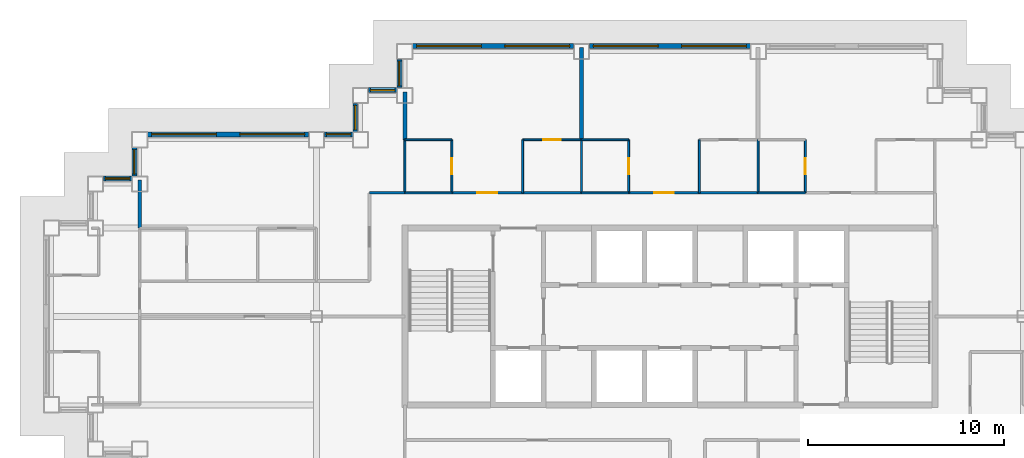
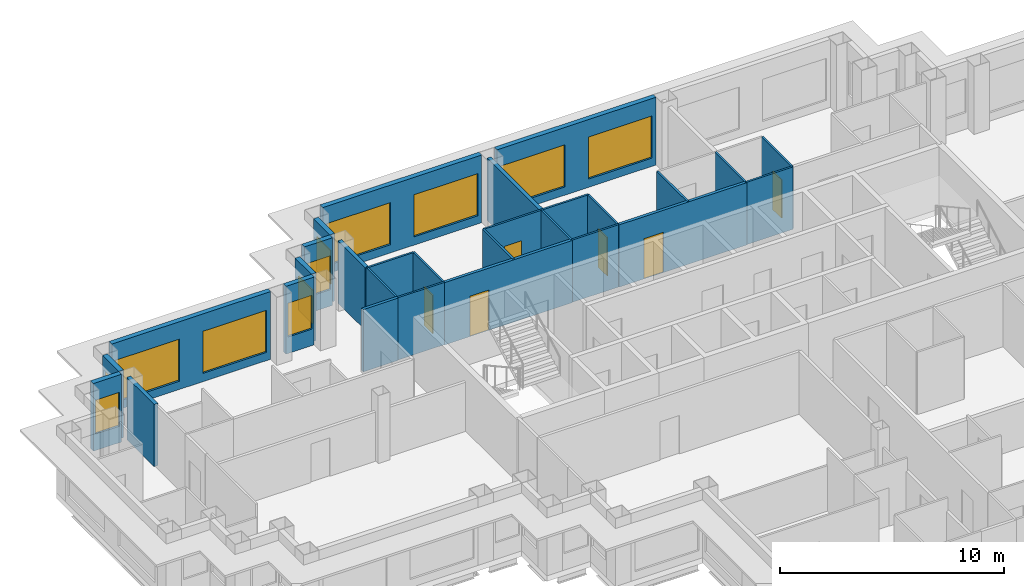
# One storey, part 8 of 13: 29 walls, 12 windows, 6 doors, 18 openings.
"""IFC4 building model written with IfcOpenShell, lengths in metres."""

from ifc_helpers import new_model, si_unit, direction, frame, frame_2d, origin, place, context, subcontext, project, spatial, rectangle, extrude, material, layer, layer_set, type_object, element, fill, save


model = new_model("IFC4")

# Units and contexts
model_context = context("Model", 3, precision=1e-05, world=origin(), true_north=direction((0.0, 1.0)))
body_context = subcontext(model_context, "Body", "Model", "MODEL_VIEW")
ifc_project = project(units=[si_unit("LENGTHUNIT", "METRE"), si_unit("AREAUNIT", "SQUARE_METRE"), si_unit("VOLUMEUNIT", "CUBIC_METRE"), si_unit("PLANEANGLEUNIT", "RADIAN"), si_unit("MASSUNIT", "GRAM", prefix="KILO")], contexts=[model_context])

# Site, building, storey
site_placement = place(None, origin())
site = spatial("IfcSite", under=ifc_project, at=site_placement, CompositionType="ELEMENT")
building_placement = place(site_placement, origin())
building = spatial("IfcBuilding", under=site, at=building_placement, Name="Caravel Reach Hotel and Residences", CompositionType="ELEMENT")
storey_placement = place(building_placement, frame((0.0, 0.0, 158.0)))
storey = spatial("IfcBuildingStorey", under=building, at=storey_placement, Name="L39", CompositionType="ELEMENT", Elevation=158.0)

# Walls
ifc_material_1 = material(Name="Gypsum board on steel stud", Category="steel")
ifc_layer_1 = layer(ifc_material_1, 0.10009765625)
ifc_layer_set_1 = layer_set([ifc_layer_1], Name="Bathroom pod wall 100 mm")
wall_type_1 = type_object("IfcWallType", Name="Bathroom pod wall 100 mm", PredefinedType="PARTITIONING", material=ifc_layer_set_1)
for number, where, z_axis, x_axis, name in (
    (1, (18.0, 33.300048828125, 0.0), (0.0, 0.0, 1.0), (1.0, 0.0, 0.0), "L39 wall w089"),
    (2, (27.0, 33.300048828125, 0.0), (0.0, 0.0, 1.0), (1.0, 0.0, 0.0), "L39 wall w090"),
    (3, (36.0, 33.300048828125, 0.0), (0.0, 0.0, 1.0), (1.0, 0.0, 0.0), "L39 wall w091"),
    (4, (18.0, 36.0, 0.0), (0.0, 0.0, 1.0), (1.0, 0.0, 0.0), "L39 wall w092"),
    (5, (27.0, 36.0, 0.0), (0.0, 0.0, 1.0), (1.0, 0.0, 0.0), "L39 wall w093"),
):
    element("IfcWall", number, at=place(storey_placement, frame(where, z_axis=z_axis, x_axis=x_axis)), inside=storey, type_object=wall_type_1, Name=name, PredefinedType="PARTITIONING", context=body_context, shape_type="SweptSolid", body=[
        extrude(rectangle(XDim=2.39990234375, YDim=0.10009765625, at=frame_2d((1.199951171875, 0.0))), origin(), (0.0, 0.0, 1.0), 3.39990234375),
    ])
wall_1_placement = place(storey_placement, frame((18.0, 33.301025390625, 0.0), z_axis=(0.0, 0.0, 1.0), x_axis=(0.0, 1.0, 0.0)))
element("IfcWall", 6, at=wall_1_placement, inside=storey, type_object=wall_type_1, Name="L39 wall w097", PredefinedType="PARTITIONING", context=body_context, shape_type="SweptSolid", body=[
    extrude(rectangle(XDim=2.698974609375, YDim=0.10009765625, at=frame_2d((1.349609375, 0.0))), origin(), (0.0, 0.0, 1.0), 3.39990234375),
])

# Wall, opening, door
wall_2_placement = place(storey_placement, frame((20.39990234375, 33.300048828125, 0.0), z_axis=(0.0, 0.0, 1.0), x_axis=(0.0, 1.0, 0.0)))
wall_2 = element("IfcWall", 7, at=wall_2_placement, inside=storey, type_object=wall_type_1, Name="L39 wall w099", PredefinedType="PARTITIONING", context=body_context, shape_type="SweptSolid", body=[
    extrude(rectangle(XDim=2.699951171875, YDim=0.10009765625, at=frame_2d((1.35009765625, 0.0))), origin(), (0.0, 0.0, 1.0), 3.39990234375),
])
opening_1_placement = place(wall_2_placement, frame((0.949951171875, 0.0, 0.0)))
opening_1 = element("IfcOpeningElement", 8, at=opening_1_placement, cuts=wall_2, Name="Opening D39-018", PredefinedType="OPENING", context=body_context, shape_type="SweptSolid", body=[
    extrude(rectangle(XDim=0.800048828125, YDim=2.10009765625, at=frame_2d((0.39990234375, 1.050048828125))), frame((0.0, 0.06005859375, 0.0), z_axis=(0.0, -1.0, 0.0), x_axis=(1.0, 0.0, 0.0)), (0.0, 0.0, 1.0), 0.1201171875),
])
ifc_material_2 = material(Name="Timber and steel door leaf", Category="steel")
door_type_1 = type_object("IfcDoorType", Name="Bathroom door 800 x 2100", OperationType="SINGLE_SWING_LEFT", PredefinedType="DOOR", material=ifc_material_2)
door_1_placement = place(opening_1_placement, origin())
door_1 = element("IfcDoor", 9, at=door_1_placement, inside=storey, type_object=door_type_1, Name="door D39-018", OperationType="SINGLE_SWING_LEFT", OverallHeight=2.10009765625, OverallWidth=0.800048828125, PredefinedType="DOOR", context=body_context, shape_type="SweptSolid", body=[
    extrude(rectangle(XDim=0.800048828125, YDim=2.10009765625, at=frame_2d((0.39990234375, 1.050048828125))), frame((0.0, 0.02490234375, 0.0), z_axis=(0.0, -1.0, 0.0), x_axis=(1.0, 0.0, 0.0)), (0.0, 0.0, 1.0), 0.050048828125),
])
fill(opening_1, door_1)

# Wall
wall_3_placement = place(storey_placement, frame((27.0, 33.300048828125, 0.0), z_axis=(0.0, 0.0, 1.0), x_axis=(0.0, 1.0, 0.0)))
element("IfcWall", 10, at=wall_3_placement, inside=storey, type_object=wall_type_1, Name="L39 wall w100", PredefinedType="PARTITIONING", context=body_context, shape_type="SweptSolid", body=[
    extrude(rectangle(XDim=2.699951171875, YDim=0.10009765625, at=frame_2d((1.35009765625, 0.0))), origin(), (0.0, 0.0, 1.0), 3.39990234375),
])

# Wall, opening, door
wall_4_placement = place(storey_placement, frame((29.39990234375, 33.300048828125, 0.0), z_axis=(0.0, 0.0, 1.0), x_axis=(0.0, 1.0, 0.0)))
wall_4 = element("IfcWall", 11, at=wall_4_placement, inside=storey, type_object=wall_type_1, Name="L39 wall w102", PredefinedType="PARTITIONING", context=body_context, shape_type="SweptSolid", body=[
    extrude(rectangle(XDim=2.699951171875, YDim=0.10009765625, at=frame_2d((1.35009765625, 0.0))), origin(), (0.0, 0.0, 1.0), 3.39990234375),
])
opening_2_placement = place(wall_4_placement, frame((0.949951171875, 0.0, 0.0)))
opening_2 = element("IfcOpeningElement", 12, at=opening_2_placement, cuts=wall_4, Name="Opening D39-021", PredefinedType="OPENING", context=body_context, shape_type="SweptSolid", body=[
    extrude(rectangle(XDim=0.800048828125, YDim=2.10009765625, at=frame_2d((0.39990234375, 1.050048828125))), frame((0.0, 0.06005859375, 0.0), z_axis=(0.0, -1.0, 0.0), x_axis=(1.0, 0.0, 0.0)), (0.0, 0.0, 1.0), 0.1201171875),
])
door_2_placement = place(opening_2_placement, origin())
door_2 = element("IfcDoor", 13, at=door_2_placement, inside=storey, type_object=door_type_1, Name="door D39-021", OperationType="SINGLE_SWING_RIGHT", OverallHeight=2.10009765625, OverallWidth=0.800048828125, PredefinedType="DOOR", context=body_context, shape_type="SweptSolid", body=[
    extrude(rectangle(XDim=0.800048828125, YDim=2.10009765625, at=frame_2d((0.39990234375, 1.050048828125))), frame((0.0, 0.02490234375, 0.0), z_axis=(0.0, -1.0, 0.0), x_axis=(1.0, 0.0, 0.0)), (0.0, 0.0, 1.0), 0.050048828125),
])
fill(opening_2, door_2)

# Wall
wall_5_placement = place(storey_placement, frame((36.0, 33.300048828125, 0.0), z_axis=(0.0, 0.0, 1.0), x_axis=(0.0, 1.0, 0.0)))
element("IfcWall", 14, at=wall_5_placement, inside=storey, type_object=wall_type_1, Name="L39 wall w105", PredefinedType="PARTITIONING", context=body_context, shape_type="SweptSolid", body=[
    extrude(rectangle(XDim=2.699951171875, YDim=0.10009765625, at=frame_2d((1.35009765625, 0.0))), origin(), (0.0, 0.0, 1.0), 3.39990234375),
])

# Wall, opening, door
wall_6_placement = place(storey_placement, frame((38.39990234375, 33.300048828125, 0.0), z_axis=(0.0, 0.0, 1.0), x_axis=(0.0, 1.0, 0.0)))
wall_6 = element("IfcWall", 15, at=wall_6_placement, inside=storey, type_object=wall_type_1, Name="L39 wall w108", PredefinedType="PARTITIONING", context=body_context, shape_type="SweptSolid", body=[
    extrude(rectangle(XDim=2.699951171875, YDim=0.10009765625, at=frame_2d((1.35009765625, 0.0))), origin(), (0.0, 0.0, 1.0), 3.39990234375),
])
opening_3_placement = place(wall_6_placement, frame((0.949951171875, 0.0, 0.0)))
opening_3 = element("IfcOpeningElement", 16, at=opening_3_placement, cuts=wall_6, Name="Opening D39-024", PredefinedType="OPENING", context=body_context, shape_type="SweptSolid", body=[
    extrude(rectangle(XDim=0.800048828125, YDim=2.10009765625, at=frame_2d((0.39990234375, 1.050048828125))), frame((0.0, 0.06005859375, 0.0), z_axis=(0.0, -1.0, 0.0), x_axis=(1.0, 0.0, 0.0)), (0.0, 0.0, 1.0), 0.1201171875),
])
door_3_placement = place(opening_3_placement, origin())
door_3 = element("IfcDoor", 17, at=door_3_placement, inside=storey, type_object=door_type_1, Name="door D39-024", OperationType="SINGLE_SWING_RIGHT", OverallHeight=2.10009765625, OverallWidth=0.800048828125, PredefinedType="DOOR", context=body_context, shape_type="SweptSolid", body=[
    extrude(rectangle(XDim=0.800048828125, YDim=2.10009765625, at=frame_2d((0.39990234375, 1.050048828125))), frame((0.0, 0.02490234375, 0.0), z_axis=(0.0, -1.0, 0.0), x_axis=(1.0, 0.0, 0.0)), (0.0, 0.0, 1.0), 0.050048828125),
])
fill(opening_3, door_3)

ifc_material_3 = material(Name="Gypsum board on steel stud, fire-rated", Category="steel")
ifc_layer_2 = layer(ifc_material_3, 0.14990234375)
ifc_layer_set_2 = layer_set([ifc_layer_2], Name="Corridor wall 150 mm EI 60")
wall_type_2 = type_object("IfcWallType", Name="Corridor wall 150 mm EI 60", PredefinedType="PARTITIONING", material=ifc_layer_set_2)
wall_7_placement = place(storey_placement, frame((20.39990234375, 33.300048828125, 0.0), z_axis=(0.0, 0.0, 1.0), x_axis=(1.0, 0.0, 0.0)))
wall_7 = element("IfcWall", 18, at=wall_7_placement, inside=storey, type_object=wall_type_2, Name="L39 wall w014", PredefinedType="PARTITIONING", context=body_context, shape_type="SweptSolid", body=[
    extrude(rectangle(XDim=6.60009765625, YDim=0.14990234375, at=frame_2d((3.300048828125, 0.0))), origin(), (0.0, 0.0, 1.0), 3.39990234375),
])
opening_4_placement = place(wall_7_placement, frame((1.300048828125, 0.0, 0.0)))
opening_4 = element("IfcOpeningElement", 19, at=opening_4_placement, cuts=wall_7, Name="Opening D39-017", PredefinedType="OPENING", context=body_context, shape_type="SweptSolid", body=[
    extrude(rectangle(XDim=1.0, YDim=2.199951171875, at=frame_2d((0.5, 1.10009765625))), frame((0.0, 0.0849609375, 0.0), z_axis=(0.0, -1.0, 0.0), x_axis=(1.0, 0.0, 0.0)), (0.0, 0.0, 1.0), 0.169921875),
])
ifc_material_4 = material(Name="Steel fire door leaf", Category="steel")
door_type_2 = type_object("IfcDoorType", Name="Flat entrance door 1000 x 2200 EI 60", OperationType="SINGLE_SWING_LEFT", PredefinedType="DOOR", material=ifc_material_4)
door_4_placement = place(opening_4_placement, origin())
door_4 = element("IfcDoor", 20, at=door_4_placement, inside=storey, type_object=door_type_2, Name="door D39-017", OperationType="SINGLE_SWING_LEFT", OverallHeight=2.199951171875, OverallWidth=1.0, PredefinedType="DOOR", context=body_context, shape_type="SweptSolid", body=[
    extrude(rectangle(XDim=1.0, YDim=2.199951171875, at=frame_2d((0.5, 1.10009765625))), frame((0.0, 0.02490234375, 0.0), z_axis=(0.0, -1.0, 0.0), x_axis=(1.0, 0.0, 0.0)), (0.0, 0.0, 1.0), 0.050048828125),
])
fill(opening_4, door_4)

wall_8_placement = place(storey_placement, frame((29.39990234375, 33.300048828125, 0.0), z_axis=(0.0, 0.0, 1.0), x_axis=(1.0, 0.0, 0.0)))
wall_8 = element("IfcWall", 21, at=wall_8_placement, inside=storey, type_object=wall_type_2, Name="L39 wall w016", PredefinedType="PARTITIONING", context=body_context, shape_type="SweptSolid", body=[
    extrude(rectangle(XDim=6.60009765625, YDim=0.14990234375, at=frame_2d((3.300048828125, 0.0))), origin(), (0.0, 0.0, 1.0), 3.39990234375),
])
opening_5_placement = place(wall_8_placement, frame((1.300048828125, 0.0, 0.0)))
opening_5 = element("IfcOpeningElement", 22, at=opening_5_placement, cuts=wall_8, Name="Opening D39-020", PredefinedType="OPENING", context=body_context, shape_type="SweptSolid", body=[
    extrude(rectangle(XDim=1.0, YDim=2.199951171875, at=frame_2d((0.5, 1.10009765625))), frame((0.0, 0.0849609375, 0.0), z_axis=(0.0, -1.0, 0.0), x_axis=(1.0, 0.0, 0.0)), (0.0, 0.0, 1.0), 0.169921875),
])
door_5_placement = place(opening_5_placement, origin())
door_5 = element("IfcDoor", 23, at=door_5_placement, inside=storey, type_object=door_type_2, Name="door D39-020", OperationType="SINGLE_SWING_LEFT", OverallHeight=2.199951171875, OverallWidth=1.0, PredefinedType="DOOR", context=body_context, shape_type="SweptSolid", body=[
    extrude(rectangle(XDim=1.0, YDim=2.199951171875, at=frame_2d((0.5, 1.10009765625))), frame((0.0, 0.02490234375, 0.0), z_axis=(0.0, -1.0, 0.0), x_axis=(1.0, 0.0, 0.0)), (0.0, 0.0, 1.0), 0.050048828125),
])
fill(opening_5, door_5)

# Wall
wall_9_placement = place(storey_placement, frame((16.199951171875, 33.300048828125, 0.0), z_axis=(0.0, 0.0, 1.0), x_axis=(1.0, 0.0, 0.0)))
element("IfcWall", 24, at=wall_9_placement, inside=storey, type_object=wall_type_2, Name="L39 wall w020", PredefinedType="PARTITIONING", context=body_context, shape_type="SweptSolid", body=[
    extrude(rectangle(XDim=1.799072265625, YDim=0.14990234375, at=frame_2d((0.8994140625, 0.0))), origin(), (0.0, 0.0, 1.0), 3.39990234375),
])

# Wall, openings, windows
ifc_material_5 = material(Name="Insulated rainscreen wall, aluminium cladding", Category="aluminium")
ifc_layer_3 = layer(ifc_material_5, 0.25)
ifc_layer_set_3 = layer_set([ifc_layer_3], Name="EW1 Tower rainscreen wall")
wall_type_3 = type_object("IfcWallType", Name="EW1 Tower rainscreen wall", PredefinedType="SOLIDWALL", material=ifc_layer_set_3)
wall_10_placement = place(storey_placement, frame((35.60009765625, 40.77490234375, 0.0), z_axis=(0.0, 0.0, 1.0), x_axis=(-1.0, 0.0, 0.0)))
wall_10 = element("IfcWall", 25, at=wall_10_placement, inside=storey, type_object=wall_type_3, Name="External wall L39 N29.2", PredefinedType="SOLIDWALL", context=body_context, shape_type="SweptSolid", body=[
    extrude(rectangle(XDim=8.2001953125, YDim=0.25, at=frame_2d((4.10009765625, 0.0))), origin(), (0.0, 0.0, 1.0), 3.699951171875),
])
opening_6_placement = place(wall_10_placement, frame((0.199951171875, 0.0, 0.449951171875)))
opening_6 = element("IfcOpeningElement", 26, at=opening_6_placement, cuts=wall_10, Name="Opening WN15", PredefinedType="OPENING", context=body_context, shape_type="SweptSolid", body=[
    extrude(rectangle(XDim=3.300048828125, YDim=2.300048828125, at=frame_2d((1.64990234375, 1.14990234375))), frame((0.0, 0.135009765625, 0.0), z_axis=(0.0, -1.0, 0.0), x_axis=(1.0, 0.0, 0.0)), (0.0, 0.0, 1.0), 0.27001953125),
])
opening_7_placement = place(wall_10_placement, frame((4.699951171875, 0.0, 0.449951171875)))
opening_7 = element("IfcOpeningElement", 27, at=opening_7_placement, cuts=wall_10, Name="Opening WN15", PredefinedType="OPENING", context=body_context, shape_type="SweptSolid", body=[
    extrude(rectangle(XDim=3.300048828125, YDim=2.300048828125, at=frame_2d((1.64990234375, 1.14990234375))), frame((0.0, 0.135009765625, 0.0), z_axis=(0.0, -1.0, 0.0), x_axis=(1.0, 0.0, 0.0)), (0.0, 0.0, 1.0), 0.27001953125),
])
ifc_material_6 = material(Name="Dark low-e glazing in black aluminium frame", Category="aluminium")
window_type_1 = type_object("IfcWindowType", Name="Residence living window 3300 x 2300", PartitioningType="SINGLE_PANEL", PredefinedType="WINDOW", material=ifc_material_6)
window_1_placement = place(opening_6_placement, origin())
window_1 = element("IfcWindow", 28, at=window_1_placement, inside=storey, type_object=window_type_1, Name="Window L39 N29.2.1", OverallHeight=2.300048828125, OverallWidth=3.300048828125, PartitioningType="SINGLE_PANEL", PredefinedType="WINDOW", context=body_context, shape_type="SweptSolid", body=[
    extrude(rectangle(XDim=3.300048828125, YDim=2.300048828125, at=frame_2d((1.64990234375, 1.14990234375))), frame((0.0, 0.030029296875, 0.0), z_axis=(0.0, -1.0, 0.0), x_axis=(1.0, 0.0, 0.0)), (0.0, 0.0, 1.0), 0.06005859375),
])
fill(opening_6, window_1)
window_2_placement = place(opening_7_placement, origin())
window_2 = element("IfcWindow", 29, at=window_2_placement, inside=storey, type_object=window_type_1, Name="Window L39 N29.2.2", OverallHeight=2.300048828125, OverallWidth=3.300048828125, PartitioningType="SINGLE_PANEL", PredefinedType="WINDOW", context=body_context, shape_type="SweptSolid", body=[
    extrude(rectangle(XDim=3.300048828125, YDim=2.300048828125, at=frame_2d((1.64990234375, 1.14990234375))), frame((0.0, 0.030029296875, 0.0), z_axis=(0.0, -1.0, 0.0), x_axis=(1.0, 0.0, 0.0)), (0.0, 0.0, 1.0), 0.06005859375),
])
fill(opening_7, window_2)

wall_11_placement = place(storey_placement, frame((26.60009765625, 40.77490234375, 0.0), z_axis=(0.0, 0.0, 1.0), x_axis=(-1.0, 0.0, 0.0)))
wall_11 = element("IfcWall", 30, at=wall_11_placement, inside=storey, type_object=wall_type_3, Name="External wall L39 N29.3", PredefinedType="SOLIDWALL", context=body_context, shape_type="SweptSolid", body=[
    extrude(rectangle(XDim=8.2001953125, YDim=0.25, at=frame_2d((4.10009765625, 0.0))), origin(), (0.0, 0.0, 1.0), 3.699951171875),
])
opening_8_placement = place(wall_11_placement, frame((0.199951171875, 0.0, 0.449951171875)))
opening_8 = element("IfcOpeningElement", 31, at=opening_8_placement, cuts=wall_11, Name="Opening WN15", PredefinedType="OPENING", context=body_context, shape_type="SweptSolid", body=[
    extrude(rectangle(XDim=3.300048828125, YDim=2.300048828125, at=frame_2d((1.64990234375, 1.14990234375))), frame((0.0, 0.135009765625, 0.0), z_axis=(0.0, -1.0, 0.0), x_axis=(1.0, 0.0, 0.0)), (0.0, 0.0, 1.0), 0.27001953125),
])
opening_9_placement = place(wall_11_placement, frame((4.699951171875, 0.0, 0.449951171875)))
opening_9 = element("IfcOpeningElement", 32, at=opening_9_placement, cuts=wall_11, Name="Opening WN15", PredefinedType="OPENING", context=body_context, shape_type="SweptSolid", body=[
    extrude(rectangle(XDim=3.300048828125, YDim=2.300048828125, at=frame_2d((1.64990234375, 1.14990234375))), frame((0.0, 0.135009765625, 0.0), z_axis=(0.0, -1.0, 0.0), x_axis=(1.0, 0.0, 0.0)), (0.0, 0.0, 1.0), 0.27001953125),
])
window_3_placement = place(opening_8_placement, origin())
window_3 = element("IfcWindow", 33, at=window_3_placement, inside=storey, type_object=window_type_1, Name="Window L39 N29.3.1", OverallHeight=2.300048828125, OverallWidth=3.300048828125, PartitioningType="SINGLE_PANEL", PredefinedType="WINDOW", context=body_context, shape_type="SweptSolid", body=[
    extrude(rectangle(XDim=3.300048828125, YDim=2.300048828125, at=frame_2d((1.64990234375, 1.14990234375))), frame((0.0, 0.030029296875, 0.0), z_axis=(0.0, -1.0, 0.0), x_axis=(1.0, 0.0, 0.0)), (0.0, 0.0, 1.0), 0.06005859375),
])
fill(opening_8, window_3)
window_4_placement = place(opening_9_placement, origin())
window_4 = element("IfcWindow", 34, at=window_4_placement, inside=storey, type_object=window_type_1, Name="Window L39 N29.3.2", OverallHeight=2.300048828125, OverallWidth=3.300048828125, PartitioningType="SINGLE_PANEL", PredefinedType="WINDOW", context=body_context, shape_type="SweptSolid", body=[
    extrude(rectangle(XDim=3.300048828125, YDim=2.300048828125, at=frame_2d((1.64990234375, 1.14990234375))), frame((0.0, 0.030029296875, 0.0), z_axis=(0.0, -1.0, 0.0), x_axis=(1.0, 0.0, 0.0)), (0.0, 0.0, 1.0), 0.06005859375),
])
fill(opening_9, window_4)

# Wall, opening, window
wall_12_placement = place(storey_placement, frame((17.72509765625, 40.10009765625, 0.0), z_axis=(0.0, 0.0, 1.0), x_axis=(0.0, -1.0, 0.0)))
wall_12 = element("IfcWall", 35, at=wall_12_placement, inside=storey, type_object=wall_type_3, Name="External wall L39 W30.1", PredefinedType="SOLIDWALL", context=body_context, shape_type="SweptSolid", body=[
    extrude(rectangle(XDim=1.4501953125, YDim=0.25, at=frame_2d((0.72509765625, 0.0))), origin(), (0.0, 0.0, 1.0), 3.699951171875),
])
opening_10_placement = place(wall_12_placement, frame((0.10009765625, 0.0, 0.89990234375)))
opening_10 = element("IfcOpeningElement", 36, at=opening_10_placement, cuts=wall_12, Name="Opening WN13", PredefinedType="OPENING", context=body_context, shape_type="SweptSolid", body=[
    extrude(rectangle(XDim=1.25, YDim=1.85009765625, at=frame_2d((0.625, 0.925048828125))), frame((0.0, 0.135009765625, 0.0), z_axis=(0.0, -1.0, 0.0), x_axis=(1.0, 0.0, 0.0)), (0.0, 0.0, 1.0), 0.27001953125),
])
ifc_material_7 = material(Name="Dark low-e glazing in black aluminium frame", Category="aluminium")
window_type_2 = type_object("IfcWindowType", Name="Residence bedroom window 1250 x 1850", PartitioningType="SINGLE_PANEL", PredefinedType="WINDOW", material=ifc_material_7)
window_5_placement = place(opening_10_placement, origin())
window_5 = element("IfcWindow", 37, at=window_5_placement, inside=storey, type_object=window_type_2, Name="Window L39 W30.1.1", OverallHeight=1.85009765625, OverallWidth=1.25, PartitioningType="SINGLE_PANEL", PredefinedType="WINDOW", context=body_context, shape_type="SweptSolid", body=[
    extrude(rectangle(XDim=1.25, YDim=1.85009765625, at=frame_2d((0.625, 0.925048828125))), frame((0.0, 0.030029296875, 0.0), z_axis=(0.0, -1.0, 0.0), x_axis=(1.0, 0.0, 0.0)), (0.0, 0.0, 1.0), 0.06005859375),
])
fill(opening_10, window_5)

wall_13_placement = place(storey_placement, frame((17.60009765625, 38.52490234375, 0.0), z_axis=(0.0, 0.0, 1.0), x_axis=(-1.0, 0.0, 0.0)))
wall_13 = element("IfcWall", 38, at=wall_13_placement, inside=storey, type_object=wall_type_3, Name="External wall L39 N31.1", PredefinedType="SOLIDWALL", context=body_context, shape_type="SweptSolid", body=[
    extrude(rectangle(XDim=1.4501953125, YDim=0.25, at=frame_2d((0.72509765625, 0.0))), origin(), (0.0, 0.0, 1.0), 3.699951171875),
])
opening_11_placement = place(wall_13_placement, frame((0.10009765625, 0.0, 0.89990234375)))
opening_11 = element("IfcOpeningElement", 39, at=opening_11_placement, cuts=wall_13, Name="Opening WN13", PredefinedType="OPENING", context=body_context, shape_type="SweptSolid", body=[
    extrude(rectangle(XDim=1.25, YDim=1.85009765625, at=frame_2d((0.625, 0.925048828125))), frame((0.0, 0.135009765625, 0.0), z_axis=(0.0, -1.0, 0.0), x_axis=(1.0, 0.0, 0.0)), (0.0, 0.0, 1.0), 0.27001953125),
])
window_6_placement = place(opening_11_placement, origin())
window_6 = element("IfcWindow", 40, at=window_6_placement, inside=storey, type_object=window_type_2, Name="Window L39 N31.1.1", OverallHeight=1.85009765625, OverallWidth=1.25, PartitioningType="SINGLE_PANEL", PredefinedType="WINDOW", context=body_context, shape_type="SweptSolid", body=[
    extrude(rectangle(XDim=1.25, YDim=1.85009765625, at=frame_2d((0.625, 0.925048828125))), frame((0.0, 0.030029296875, 0.0), z_axis=(0.0, -1.0, 0.0), x_axis=(1.0, 0.0, 0.0)), (0.0, 0.0, 1.0), 0.06005859375),
])
fill(opening_11, window_6)

wall_14_placement = place(storey_placement, frame((15.47509765625, 37.85009765625, 0.0), z_axis=(0.0, 0.0, 1.0), x_axis=(0.0, -1.0, 0.0)))
wall_14 = element("IfcWall", 41, at=wall_14_placement, inside=storey, type_object=wall_type_3, Name="External wall L39 W32.1", PredefinedType="SOLIDWALL", context=body_context, shape_type="SweptSolid", body=[
    extrude(rectangle(XDim=1.4501953125, YDim=0.25, at=frame_2d((0.72509765625, 0.0))), origin(), (0.0, 0.0, 1.0), 3.699951171875),
])
opening_12_placement = place(wall_14_placement, frame((0.10009765625, 0.0, 0.89990234375)))
opening_12 = element("IfcOpeningElement", 42, at=opening_12_placement, cuts=wall_14, Name="Opening WN13", PredefinedType="OPENING", context=body_context, shape_type="SweptSolid", body=[
    extrude(rectangle(XDim=1.25, YDim=1.85009765625, at=frame_2d((0.625, 0.925048828125))), frame((0.0, 0.135009765625, 0.0), z_axis=(0.0, -1.0, 0.0), x_axis=(1.0, 0.0, 0.0)), (0.0, 0.0, 1.0), 0.27001953125),
])
window_7_placement = place(opening_12_placement, origin())
window_7 = element("IfcWindow", 43, at=window_7_placement, inside=storey, type_object=window_type_2, Name="Window L39 W32.1.1", OverallHeight=1.85009765625, OverallWidth=1.25, PartitioningType="SINGLE_PANEL", PredefinedType="WINDOW", context=body_context, shape_type="SweptSolid", body=[
    extrude(rectangle(XDim=1.25, YDim=1.85009765625, at=frame_2d((0.625, 0.925048828125))), frame((0.0, 0.030029296875, 0.0), z_axis=(0.0, -1.0, 0.0), x_axis=(1.0, 0.0, 0.0)), (0.0, 0.0, 1.0), 0.06005859375),
])
fill(opening_12, window_7)

wall_15_placement = place(storey_placement, frame((15.35009765625, 36.27490234375, 0.0), z_axis=(0.0, 0.0, 1.0), x_axis=(-1.0, 0.0, 0.0)))
wall_15 = element("IfcWall", 44, at=wall_15_placement, inside=storey, type_object=wall_type_3, Name="External wall L39 N33.1", PredefinedType="SOLIDWALL", context=body_context, shape_type="SweptSolid", body=[
    extrude(rectangle(XDim=1.4501953125, YDim=0.25, at=frame_2d((0.72509765625, 0.0))), origin(), (0.0, 0.0, 1.0), 3.699951171875),
])
opening_13_placement = place(wall_15_placement, frame((0.10009765625, 0.0, 0.89990234375)))
opening_13 = element("IfcOpeningElement", 45, at=opening_13_placement, cuts=wall_15, Name="Opening WN13", PredefinedType="OPENING", context=body_context, shape_type="SweptSolid", body=[
    extrude(rectangle(XDim=1.25, YDim=1.85009765625, at=frame_2d((0.625, 0.925048828125))), frame((0.0, 0.135009765625, 0.0), z_axis=(0.0, -1.0, 0.0), x_axis=(1.0, 0.0, 0.0)), (0.0, 0.0, 1.0), 0.27001953125),
])
window_8_placement = place(opening_13_placement, origin())
window_8 = element("IfcWindow", 46, at=window_8_placement, inside=storey, type_object=window_type_2, Name="Window L39 N33.1.1", OverallHeight=1.85009765625, OverallWidth=1.25, PartitioningType="SINGLE_PANEL", PredefinedType="WINDOW", context=body_context, shape_type="SweptSolid", body=[
    extrude(rectangle(XDim=1.25, YDim=1.85009765625, at=frame_2d((0.625, 0.925048828125))), frame((0.0, 0.030029296875, 0.0), z_axis=(0.0, -1.0, 0.0), x_axis=(1.0, 0.0, 0.0)), (0.0, 0.0, 1.0), 0.06005859375),
])
fill(opening_13, window_8)

# Wall, openings, windows
wall_16_placement = place(storey_placement, frame((13.10009765625, 36.27490234375, 0.0), z_axis=(0.0, 0.0, 1.0), x_axis=(-1.0, 0.0, 0.0)))
wall_16 = element("IfcWall", 47, at=wall_16_placement, inside=storey, type_object=wall_type_3, Name="External wall L39 N33.2", PredefinedType="SOLIDWALL", context=body_context, shape_type="SweptSolid", body=[
    extrude(rectangle(XDim=8.2001953125, YDim=0.25, at=frame_2d((4.10009765625, 0.0))), origin(), (0.0, 0.0, 1.0), 3.699951171875),
])
opening_14_placement = place(wall_16_placement, frame((0.199951171875, 0.0, 0.449951171875)))
opening_14 = element("IfcOpeningElement", 48, at=opening_14_placement, cuts=wall_16, Name="Opening WN15", PredefinedType="OPENING", context=body_context, shape_type="SweptSolid", body=[
    extrude(rectangle(XDim=3.300048828125, YDim=2.300048828125, at=frame_2d((1.64990234375, 1.14990234375))), frame((0.0, 0.135009765625, 0.0), z_axis=(0.0, -1.0, 0.0), x_axis=(1.0, 0.0, 0.0)), (0.0, 0.0, 1.0), 0.27001953125),
])
opening_15_placement = place(wall_16_placement, frame((4.699951171875, 0.0, 0.449951171875)))
opening_15 = element("IfcOpeningElement", 49, at=opening_15_placement, cuts=wall_16, Name="Opening WN15", PredefinedType="OPENING", context=body_context, shape_type="SweptSolid", body=[
    extrude(rectangle(XDim=3.300048828125, YDim=2.300048828125, at=frame_2d((1.64990234375, 1.14990234375))), frame((0.0, 0.135009765625, 0.0), z_axis=(0.0, -1.0, 0.0), x_axis=(1.0, 0.0, 0.0)), (0.0, 0.0, 1.0), 0.27001953125),
])
window_9_placement = place(opening_14_placement, origin())
window_9 = element("IfcWindow", 50, at=window_9_placement, inside=storey, type_object=window_type_1, Name="Window L39 N33.2.1", OverallHeight=2.300048828125, OverallWidth=3.300048828125, PartitioningType="SINGLE_PANEL", PredefinedType="WINDOW", context=body_context, shape_type="SweptSolid", body=[
    extrude(rectangle(XDim=3.300048828125, YDim=2.300048828125, at=frame_2d((1.64990234375, 1.14990234375))), frame((0.0, 0.030029296875, 0.0), z_axis=(0.0, -1.0, 0.0), x_axis=(1.0, 0.0, 0.0)), (0.0, 0.0, 1.0), 0.06005859375),
])
fill(opening_14, window_9)
window_10_placement = place(opening_15_placement, origin())
window_10 = element("IfcWindow", 51, at=window_10_placement, inside=storey, type_object=window_type_1, Name="Window L39 N33.2.2", OverallHeight=2.300048828125, OverallWidth=3.300048828125, PartitioningType="SINGLE_PANEL", PredefinedType="WINDOW", context=body_context, shape_type="SweptSolid", body=[
    extrude(rectangle(XDim=3.300048828125, YDim=2.300048828125, at=frame_2d((1.64990234375, 1.14990234375))), frame((0.0, 0.030029296875, 0.0), z_axis=(0.0, -1.0, 0.0), x_axis=(1.0, 0.0, 0.0)), (0.0, 0.0, 1.0), 0.06005859375),
])
fill(opening_15, window_10)

# Wall, opening, window
wall_17_placement = place(storey_placement, frame((4.22509765625, 35.60009765625, 0.0), z_axis=(0.0, 0.0, 1.0), x_axis=(0.0, -1.0, 0.0)))
wall_17 = element("IfcWall", 52, at=wall_17_placement, inside=storey, type_object=wall_type_3, Name="External wall L39 W34.1", PredefinedType="SOLIDWALL", context=body_context, shape_type="SweptSolid", body=[
    extrude(rectangle(XDim=1.4501953125, YDim=0.25, at=frame_2d((0.72509765625, 0.0))), origin(), (0.0, 0.0, 1.0), 3.699951171875),
])
opening_16_placement = place(wall_17_placement, frame((0.10009765625, 0.0, 0.89990234375)))
opening_16 = element("IfcOpeningElement", 53, at=opening_16_placement, cuts=wall_17, Name="Opening WN12", PredefinedType="OPENING", context=body_context, shape_type="SweptSolid", body=[
    extrude(rectangle(XDim=1.25, YDim=2.080078125, at=frame_2d((0.625, 1.0400390625))), frame((0.0, 0.135009765625, 0.0), z_axis=(0.0, -1.0, 0.0), x_axis=(1.0, 0.0, 0.0)), (0.0, 0.0, 1.0), 0.27001953125),
])
ifc_material_8 = material(Name="Dark low-e glazing in black aluminium frame", Category="aluminium")
window_type_3 = type_object("IfcWindowType", Name="Residence bedroom window 1250 x 2080", PartitioningType="SINGLE_PANEL", PredefinedType="WINDOW", material=ifc_material_8)
window_11_placement = place(opening_16_placement, origin())
window_11 = element("IfcWindow", 54, at=window_11_placement, inside=storey, type_object=window_type_3, Name="Window L39 W34.1.1", OverallHeight=2.080078125, OverallWidth=1.25, PartitioningType="SINGLE_PANEL", PredefinedType="WINDOW", context=body_context, shape_type="SweptSolid", body=[
    extrude(rectangle(XDim=1.25, YDim=2.080078125, at=frame_2d((0.625, 1.0400390625))), frame((0.0, 0.030029296875, 0.0), z_axis=(0.0, -1.0, 0.0), x_axis=(1.0, 0.0, 0.0)), (0.0, 0.0, 1.0), 0.06005859375),
])
fill(opening_16, window_11)

wall_18_placement = place(storey_placement, frame((4.10009765625, 34.02490234375, 0.0), z_axis=(0.0, 0.0, 1.0), x_axis=(-1.0, 0.0, 0.0)))
wall_18 = element("IfcWall", 55, at=wall_18_placement, inside=storey, type_object=wall_type_3, Name="External wall L39 N35.1", PredefinedType="SOLIDWALL", context=body_context, shape_type="SweptSolid", body=[
    extrude(rectangle(XDim=1.4501953125, YDim=0.25, at=frame_2d((0.72509765625, 0.0))), origin(), (0.0, 0.0, 1.0), 3.699951171875),
])
opening_17_placement = place(wall_18_placement, frame((0.10009765625, 0.0, 0.89990234375)))
opening_17 = element("IfcOpeningElement", 56, at=opening_17_placement, cuts=wall_18, Name="Opening WN13", PredefinedType="OPENING", context=body_context, shape_type="SweptSolid", body=[
    extrude(rectangle(XDim=1.25, YDim=1.85009765625, at=frame_2d((0.625, 0.925048828125))), frame((0.0, 0.135009765625, 0.0), z_axis=(0.0, -1.0, 0.0), x_axis=(1.0, 0.0, 0.0)), (0.0, 0.0, 1.0), 0.27001953125),
])
window_12_placement = place(opening_17_placement, origin())
window_12 = element("IfcWindow", 57, at=window_12_placement, inside=storey, type_object=window_type_2, Name="Window L39 N35.1.1", OverallHeight=1.85009765625, OverallWidth=1.25, PartitioningType="SINGLE_PANEL", PredefinedType="WINDOW", context=body_context, shape_type="SweptSolid", body=[
    extrude(rectangle(XDim=1.25, YDim=1.85009765625, at=frame_2d((0.625, 0.925048828125))), frame((0.0, 0.030029296875, 0.0), z_axis=(0.0, -1.0, 0.0), x_axis=(1.0, 0.0, 0.0)), (0.0, 0.0, 1.0), 0.06005859375),
])
fill(opening_17, window_12)

# Wall, opening, door
ifc_material_9 = material(Name="Gypsum board on steel stud", Category="steel")
ifc_layer_4 = layer(ifc_material_9, 0.10009765625)
ifc_layer_set_4 = layer_set([ifc_layer_4], Name="Partition 100 mm")
wall_type_4 = type_object("IfcWallType", Name="Partition 100 mm", PredefinedType="PARTITIONING", material=ifc_layer_set_4)
wall_19_placement = place(storey_placement, frame((24.0, 36.0, 0.0), z_axis=(0.0, 0.0, 1.0), x_axis=(1.0, 0.0, 0.0)))
wall_19 = element("IfcWall", 58, at=wall_19_placement, inside=storey, type_object=wall_type_4, Name="L39 wall w044", PredefinedType="PARTITIONING", context=body_context, shape_type="SweptSolid", body=[
    extrude(rectangle(XDim=3.0, YDim=0.10009765625, at=frame_2d((1.5, 0.0))), origin(), (0.0, 0.0, 1.0), 3.39990234375),
])
opening_18_placement = place(wall_19_placement, frame((1.050048828125, 0.0, 0.0)))
opening_18 = element("IfcOpeningElement", 59, at=opening_18_placement, cuts=wall_19, Name="Opening D39-019", PredefinedType="OPENING", context=body_context, shape_type="SweptSolid", body=[
    extrude(rectangle(XDim=0.89990234375, YDim=2.10009765625, at=frame_2d((0.449951171875, 1.050048828125))), frame((0.0, 0.06005859375, 0.0), z_axis=(0.0, -1.0, 0.0), x_axis=(1.0, 0.0, 0.0)), (0.0, 0.0, 1.0), 0.1201171875),
])
ifc_material_10 = material(Name="Timber and steel door leaf", Category="steel")
door_type_3 = type_object("IfcDoorType", Name="Door 900 x 2100 timber", OperationType="SINGLE_SWING_LEFT", PredefinedType="DOOR", material=ifc_material_10)
door_6_placement = place(opening_18_placement, origin())
door_6 = element("IfcDoor", 60, at=door_6_placement, inside=storey, type_object=door_type_3, Name="door D39-019", OperationType="SINGLE_SWING_LEFT", OverallHeight=2.10009765625, OverallWidth=0.89990234375, PredefinedType="DOOR", context=body_context, shape_type="SweptSolid", body=[
    extrude(rectangle(XDim=0.89990234375, YDim=2.10009765625, at=frame_2d((0.449951171875, 1.050048828125))), frame((0.0, 0.02490234375, 0.0), z_axis=(0.0, -1.0, 0.0), x_axis=(1.0, 0.0, 0.0)), (0.0, 0.0, 1.0), 0.050048828125),
])
fill(opening_18, door_6)

# Walls
for number, where, z_axis, x_axis, name in (
    (61, (24.0, 33.300048828125, 0.0), (0.0, 0.0, 1.0), (0.0, 1.0, 0.0), "L39 wall w058"),
    (62, (33.0, 33.300048828125, 0.0), (0.0, 0.0, 1.0), (0.0, 1.0, 0.0), "L39 wall w061"),
):
    element("IfcWall", number, at=place(storey_placement, frame(where, z_axis=z_axis, x_axis=x_axis)), inside=storey, type_object=wall_type_4, Name=name, PredefinedType="PARTITIONING", context=body_context, shape_type="SweptSolid", body=[
        extrude(rectangle(XDim=2.699951171875, YDim=0.10009765625, at=frame_2d((1.35009765625, 0.0))), origin(), (0.0, 0.0, 1.0), 3.39990234375),
    ])
ifc_material_11 = material(Name="Autoclaved aerated block wall")
ifc_layer_5 = layer(ifc_material_11, 0.199951171875)
ifc_layer_set_5 = layer_set([ifc_layer_5], Name="Party wall 200 mm EI 60")
wall_type_5 = type_object("IfcWallType", Name="Party wall 200 mm EI 60", PredefinedType="PARTITIONING", material=ifc_layer_set_5)
wall_20_placement = place(storey_placement, frame((18.0, 36.0, 0.0), z_axis=(0.0, 0.0, 1.0), x_axis=(0.0, 1.0, 0.0)))
element("IfcWall", 63, at=wall_20_placement, inside=storey, type_object=wall_type_5, Name="L39 wall w074", PredefinedType="PARTITIONING", context=body_context, shape_type="SweptSolid", body=[
    extrude(rectangle(XDim=2.43994140625, YDim=0.199951171875, at=frame_2d((1.219970703125, 0.0))), origin(), (0.0, 0.0, 1.0), 3.39990234375),
])
wall_21_placement = place(storey_placement, frame((27.0, 36.0, 0.0), z_axis=(0.0, 0.0, 1.0), x_axis=(0.0, 1.0, 0.0)))
element("IfcWall", 64, at=wall_21_placement, inside=storey, type_object=wall_type_5, Name="L39 wall w075", PredefinedType="PARTITIONING", context=body_context, shape_type="SweptSolid", body=[
    extrude(rectangle(XDim=4.68994140625, YDim=0.199951171875, at=frame_2d((2.344970703125, 0.0))), origin(), (0.0, 0.0, 1.0), 3.39990234375),
])
wall_22_placement = place(storey_placement, frame((4.5, 31.5009765625, 0.0), z_axis=(0.0, 0.0, 1.0), x_axis=(0.0, 1.0, 0.0)))
element("IfcWall", 65, at=wall_22_placement, inside=storey, type_object=wall_type_5, Name="L39 wall w077", PredefinedType="PARTITIONING", context=body_context, shape_type="SweptSolid", body=[
    extrude(rectangle(XDim=2.43896484375, YDim=0.199951171875, at=frame_2d((1.219482421875, 0.0))), origin(), (0.0, 0.0, 1.0), 3.39990234375),
])

save(model, "model.ifc")
